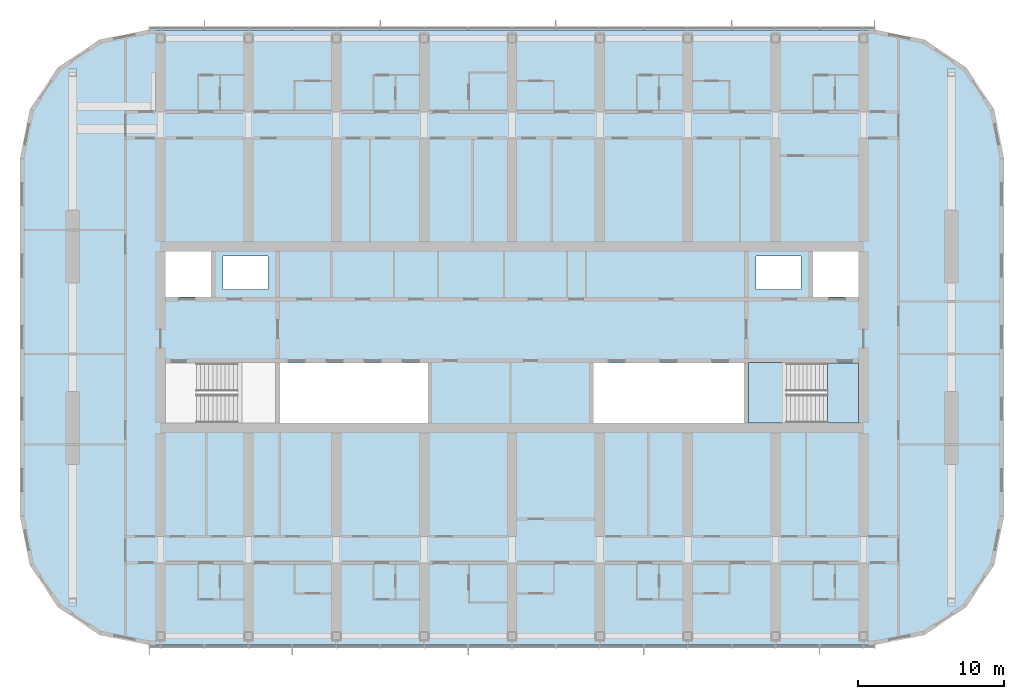
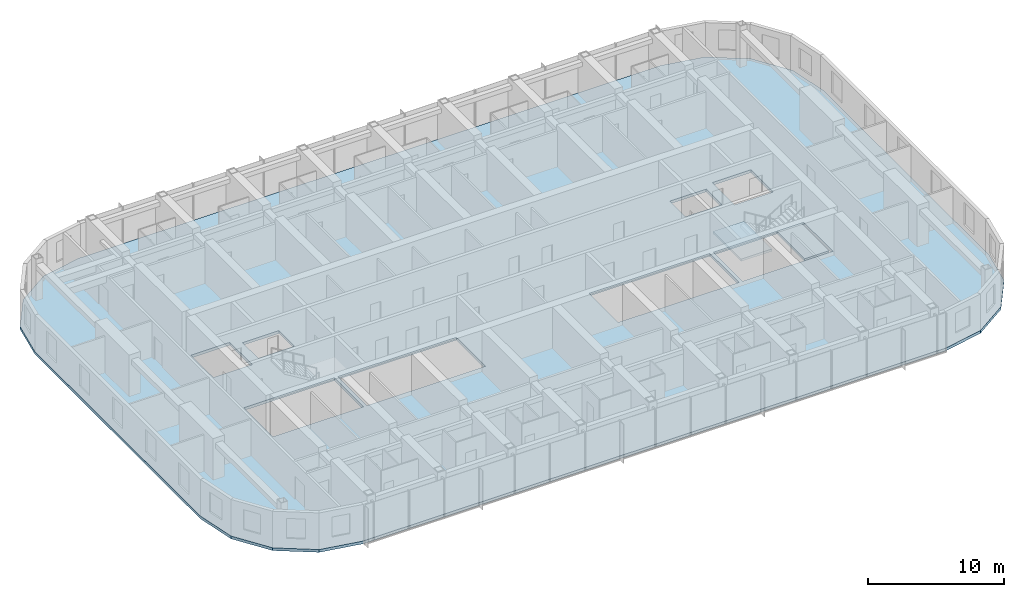
# One storey, part 8 of 23: 3 slabs, 1 element without a shape of its own.
"""IFC4 building model written with IfcOpenShell, lengths in metres."""

import ifcopenshell
import ifcopenshell.guid

model = None  # the IFC model being written
_history = None  # IfcOwnerHistory: only IFC2X3 demands one
_inside = {}  # id of a spatial element -> (the spatial element, [elements in it])
_under = {}  # id of a project, library or spatial element -> (it, [spatial elements below it])
_declared = {}  # id of a project -> (the project, [libraries it declares])
_typed = {}  # id of a type object -> (the type object, [elements of that type])
_made_of = {}  # id of a material, layer set ... -> (it, [elements and type objects made of it])


def new_model(schema):
    """Start an empty IFC model of exactly this schema.

    Asked for "IFC4X3", IfcOpenShell would pick the latest addendum, in which some entities
    have other attributes; the version numbers below select the first issue.
    IFC2X3 requires an IfcOwnerHistory on every rooted entity: one is made here for all.
    """
    global model, _history
    if schema == "IFC4X3":
        model = ifcopenshell.file(schema_version=(4, 3, 0, 0))
    else:
        model = ifcopenshell.file(schema=schema)
    _inside.clear()
    _under.clear()
    _declared.clear()
    _typed.clear()
    _made_of.clear()
    _history = None
    if model.schema == "IFC2X3":
        org = make("IfcOrganization", Name="unknown")
        user = make(
            "IfcPersonAndOrganization",
            ThePerson=make("IfcPerson", FamilyName="unknown"),
            TheOrganization=org,
        )
        app = make(
            "IfcApplication",
            ApplicationDeveloper=org,
            Version="unknown",
            ApplicationFullName="unknown",
            ApplicationIdentifier="unknown",
        )
        _history = make(
            "IfcOwnerHistory",
            OwningUser=user,
            OwningApplication=app,
            ChangeAction="ADDED",
            CreationDate=0,
        )
    return model


def make(cls, **values):
    """One entity of the class cls with the attributes given. An attribute that is None is left unset."""
    return model.create_entity(
        cls, **{name: value for name, value in values.items() if value is not None}
    )


def rooted(cls, **values):
    """An entity with a GlobalId (a new one), such as an element, a storey or a relation."""
    return make(cls, GlobalId=ifcopenshell.guid.new(), OwnerHistory=_history, **values)


def si_unit(unit_type, name, prefix=None):
    """IfcSIUnit, for example si_unit("LENGTHUNIT", "METRE", prefix="MILLI")."""
    return make("IfcSIUnit", UnitType=unit_type, Prefix=prefix, Name=name)


def assignment(units):
    """IfcUnitAssignment: the units of a project."""
    return None if units is None else make("IfcUnitAssignment", Units=units)


def point(xyz):
    """IfcCartesianPoint."""
    return None if xyz is None else make("IfcCartesianPoint", Coordinates=xyz)


def direction(xyz):
    """IfcDirection."""
    return None if xyz is None else make("IfcDirection", DirectionRatios=xyz)


def frame(location, z_axis=None, x_axis=None):
    """IfcAxis2Placement3D, a coordinate frame: its origin and axes. An axis left out is left unset."""
    return make(
        "IfcAxis2Placement3D",
        Location=point(location),
        Axis=direction(z_axis),
        RefDirection=direction(x_axis),
    )


def origin():
    """The frame at (0, 0, 0) with its axes left unset."""
    return frame((0.0, 0.0, 0.0))


def place(relative_to, where):
    """IfcLocalPlacement: puts the frame where relative to a parent placement (None: the world)."""
    return make(
        "IfcLocalPlacement", PlacementRelTo=relative_to, RelativePlacement=where
    )


def context(
    kind, dimensions, precision=None, world=None, true_north=None, identifier=None
):
    """IfcGeometricRepresentationContext, for example the 3D "Model" context."""
    return make(
        "IfcGeometricRepresentationContext",
        ContextIdentifier=identifier,
        ContextType=kind,
        CoordinateSpaceDimension=dimensions,
        Precision=precision,
        WorldCoordinateSystem=world,
        TrueNorth=true_north,
    )


def subcontext(parent, identifier, kind, view, scale=None):
    """IfcGeometricRepresentationSubContext, for example "Body" below "Model"."""
    return make(
        "IfcGeometricRepresentationSubContext",
        ContextIdentifier=identifier,
        ContextType=kind,
        ParentContext=parent,
        TargetScale=scale,
        TargetView=view,
    )


def project(units=None, contexts=None):
    """IfcProject with its units and contexts."""
    return rooted(
        "IfcProject",
        Name="project",
        RepresentationContexts=contexts,
        UnitsInContext=assignment(units),
    )


def spatial(cls, under=None, at=None, **own):
    """A site, building, storey or space (cls), placed at a placement, below another one or the project."""
    s = rooted(cls, ObjectPlacement=at, **own)
    if under is not None:
        _under.setdefault(under.id(), (under, []))[1].append(s)
    return s


def polyline(points):
    """IfcPolyline through the points."""
    return make("IfcPolyline", Points=[point(p) for p in points])


def outline(outer, holes=None, kind="AREA"):
    """IfcArbitraryClosedProfileDef: a profile drawn as a closed curve; with holes, ...WithVoids."""
    if holes is None:
        return make("IfcArbitraryClosedProfileDef", ProfileType=kind, OuterCurve=outer)
    return make(
        "IfcArbitraryProfileDefWithVoids",
        ProfileType=kind,
        OuterCurve=outer,
        InnerCurves=holes,
    )


def extrude(swept, where, along, depth):
    """IfcExtrudedAreaSolid: the profile swept, set in the frame where, extruded along a direction by depth."""
    return make(
        "IfcExtrudedAreaSolid",
        SweptArea=swept,
        Position=where,
        ExtrudedDirection=direction(along),
        Depth=depth,
    )


def shape(context_of_items, identifier, shape_type, items):
    """IfcShapeRepresentation: the items that make up one representation, for example the "Body"."""
    return make(
        "IfcShapeRepresentation",
        ContextOfItems=context_of_items,
        RepresentationIdentifier=identifier,
        RepresentationType=shape_type,
        Items=items,
    )


def material(Name=None, Category=None):
    """IfcMaterial."""
    return make("IfcMaterial", Name=Name, Category=Category)


def layer(
    of_material, thickness, ventilated=None, Name=None, Category=None, Priority=None
):
    """IfcMaterialLayer: one layer of a wall or slab, of a material (None: an air gap)."""
    return make(
        "IfcMaterialLayer",
        Material=of_material,
        LayerThickness=thickness,
        IsVentilated=ventilated,
        Name=Name,
        Category=Category,
        Priority=Priority,
    )


def layer_set(layers, Name=None):
    """IfcMaterialLayerSet."""
    return make("IfcMaterialLayerSet", MaterialLayers=layers, LayerSetName=Name)


def made_of(thing, what):
    """Note that an element or type object is made of a material, layer set ...; save() writes the relation."""
    if what is not None:
        _made_of.setdefault(what.id(), (what, []))[1].append(thing)
    return thing


def type_object(cls, material=None, **own):
    """A type object (cls), such as IfcWallType, which elements share."""
    return made_of(rooted(cls, **own), material)


def element(
    cls,
    number,
    at=None,
    inside=None,
    cuts=None,
    type_object=None,
    material=None,
    context=None,
    identifier="Body",
    shape_type=None,
    held_by="IfcProductDefinitionShape",
    body=None,
    shapes=None,
    **own,
):
    """One element of the class cls, such as IfcWall. Its Tag is "e" and its number.

    at: its placement. inside: the storey or other place that contains it. cuts: it is an
    opening in that element (IfcRelVoidsElement). A single representation is given by context,
    identifier, shape_type and body (its items); several are given by shapes. held_by: the class
    of the entity that holds the representations. save() writes the other relations.
    """
    e = rooted(cls, Tag="e%d" % number, ObjectPlacement=at, **own)
    if body is not None:
        shapes = [shape(context, identifier, shape_type, body)]
    if shapes is not None:
        e.Representation = make(held_by, Representations=shapes)
    if inside is not None:
        _inside.setdefault(inside.id(), (inside, []))[1].append(e)
    if cuts is not None:
        rooted(
            "IfcRelVoidsElement", RelatingBuildingElement=cuts, RelatedOpeningElement=e
        )
    if type_object is not None:
        _typed.setdefault(type_object.id(), (type_object, []))[1].append(e)
    return made_of(e, material)


def aggregate(whole, parts):
    """IfcRelAggregates: a whole, such as a stair, and the parts it consists of."""
    return rooted("IfcRelAggregates", RelatingObject=whole, RelatedObjects=parts)


def save(model, path):
    """Write the relations noted so far, then the file.

    IfcRelAggregates (storeys below a building ...), IfcRelContainedInSpatialStructure (elements
    in a storey), IfcRelDefinesByType, IfcRelAssociatesMaterial and IfcRelDeclares: one each for
    every whole, place, type object, material and project.
    """
    for whole, parts in _under.values():
        aggregate(whole, parts)
    for where, things in _inside.values():
        rooted(
            "IfcRelContainedInSpatialStructure",
            RelatedElements=things,
            RelatingStructure=where,
        )
    for kind, things in _typed.values():
        rooted("IfcRelDefinesByType", RelatedObjects=things, RelatingType=kind)
    for what, things in _made_of.values():
        rooted("IfcRelAssociatesMaterial", RelatedObjects=things, RelatingMaterial=what)
    for by, libraries in _declared.values():
        rooted("IfcRelDeclares", RelatingContext=by, RelatedDefinitions=libraries)
    model.write(path)


model = new_model("IFC4")

# Units and contexts
model_context = context("Model", 3, precision=1e-05, world=origin(), true_north=direction((0.0, 1.0)))
body_context = subcontext(model_context, "Body", "Model", "MODEL_VIEW")
ifc_project = project(units=[si_unit("LENGTHUNIT", "METRE"), si_unit("AREAUNIT", "SQUARE_METRE"), si_unit("VOLUMEUNIT", "CUBIC_METRE"), si_unit("PLANEANGLEUNIT", "RADIAN"), si_unit("MASSUNIT", "GRAM", prefix="KILO")], contexts=[model_context])

# Site, building, storey
site_placement = place(None, origin())
site = spatial("IfcSite", under=ifc_project, at=site_placement, CompositionType="ELEMENT")
building_placement = place(site_placement, origin())
building = spatial("IfcBuilding", under=site, at=building_placement, Name="Orbita Commons", CompositionType="ELEMENT")
storey_placement = place(building_placement, frame((0.0, 0.0, 227.800048828125)))
storey = spatial("IfcBuildingStorey", under=building, at=storey_placement, Name="L56", CompositionType="ELEMENT", Elevation=227.800048828125)

# Slab
ifc_material_1 = material(Name="Concrete C40/50", Category="concrete")
ifc_layer_1 = layer(ifc_material_1, 0.25)
ifc_layer_set_1 = layer_set([ifc_layer_1], Name="Concrete C40/50")
slab_type_1 = type_object("IfcSlabType", Name="Floor slab 250", PredefinedType="FLOOR", material=ifc_layer_set_1)
slab_1_placement = place(storey_placement, frame((0.0, 0.0, -0.25)))
element("IfcSlab", 1, at=slab_1_placement, inside=storey, type_object=slab_type_1, Name="Floor slab L56", PredefinedType="FLOOR", context=body_context, shape_type="SweptSolid", body=[
    extrude(outline(polyline([(66.800048828125, 11.0), (70.167724609375, 11.669921875), (73.0224609375, 13.577392578125), (74.93017578125, 16.432373046875), (75.60009765625, 19.800048828125), (75.60009765625, 44.199951171875), (74.93017578125, 47.567626953125), (73.0224609375, 50.422607421875), (70.167724609375, 52.330078125), (66.800048828125, 53.0), (17.199951171875, 53.0), (13.832275390625, 52.330078125), (10.9775390625, 50.422607421875), (9.06982421875, 47.567626953125), (8.39990234375, 44.199951171875), (8.39990234375, 19.800048828125), (9.06982421875, 16.432373046875), (10.9775390625, 13.577392578125), (13.832275390625, 11.669921875), (17.199951171875, 11.0), (66.800048828125, 11.0)]), holes=[polyline([(18.14990234375, 25.949951171875), (25.85009765625, 25.949951171875), (25.85009765625, 30.25), (18.14990234375, 30.25), (18.14990234375, 25.949951171875)]), polyline([(58.14990234375, 25.949951171875), (65.85009765625, 25.949951171875), (65.85009765625, 30.25), (58.14990234375, 30.25), (58.14990234375, 25.949951171875)]), polyline([(18.14990234375, 34.75), (21.449951171875, 34.75), (21.449951171875, 38.050048828125), (18.14990234375, 38.050048828125), (18.14990234375, 34.75)]), polyline([(62.550048828125, 34.75), (65.85009765625, 34.75), (65.85009765625, 38.050048828125), (62.550048828125, 38.050048828125), (62.550048828125, 34.75)]), polyline([(22.25, 35.25), (25.35009765625, 35.25), (25.35009765625, 37.550048828125), (22.25, 37.550048828125), (22.25, 35.25)]), polyline([(58.64990234375, 35.25), (61.75, 35.25), (61.75, 37.550048828125), (58.64990234375, 37.550048828125), (58.64990234375, 35.25)]), polyline([(26.14990234375, 25.949951171875), (36.25, 25.949951171875), (36.25, 30.25), (26.14990234375, 30.25), (26.14990234375, 25.949951171875)]), polyline([(47.550048828125, 25.949951171875), (57.85009765625, 25.949951171875), (57.85009765625, 30.25), (47.550048828125, 30.25), (47.550048828125, 25.949951171875)])]), origin(), (0.0, 0.0, 1.0), 0.25),
])

# Stair, slabs
ifc_material_2 = material(Name="Precast concrete C40/50", Category="concrete")
stair_type = type_object("IfcStairType", Name="Exit stair S2 2 flights 11 risers 170", PredefinedType="HALF_TURN_STAIR", material=ifc_material_2)
stair_placement = place(storey_placement, origin())
stair = element("IfcStair", 2, at=stair_placement, inside=storey, type_object=stair_type, Name="Exit stair S2 L56", PredefinedType="HALF_TURN_STAIR")
ifc_material_3 = material(Name="Concrete C40/50", Category="concrete")
ifc_layer_2 = layer(ifc_material_3, 0.199951171875)
ifc_layer_set_2 = layer_set([ifc_layer_2], Name="Concrete C40/50")
slab_type_2 = type_object("IfcSlabType", Name="Stair landing 200", PredefinedType="LANDING", material=ifc_layer_set_2)
slab_2_placement = place(storey_placement, frame((0.0, 0.0, -0.199951171875)))
slab_2 = element("IfcSlab", 3, at=slab_2_placement, type_object=slab_type_2, Name="S2 landing 1", PredefinedType="LANDING", context=body_context, shape_type="SweptSolid", body=[
    extrude(outline(polyline([(63.550048828125, 26.14990234375), (65.64990234375, 26.14990234375), (65.64990234375, 30.25), (63.550048828125, 30.25), (63.550048828125, 26.14990234375)])), origin(), (0.0, 0.0, 1.0), 0.199951171875),
])
slab_3_placement = place(storey_placement, frame((0.0, 0.0, 1.675048828125)))
slab_3 = element("IfcSlab", 4, at=slab_3_placement, type_object=slab_type_2, Name="S2 landing 2", PredefinedType="LANDING", context=body_context, shape_type="SweptSolid", body=[
    extrude(outline(polyline([(58.135009765625, 26.135009765625), (60.75, 26.135009765625), (60.75, 30.264892578125), (58.135009765625, 30.264892578125), (58.135009765625, 26.135009765625)])), origin(), (0.0, 0.0, 1.0), 0.199951171875),
])
aggregate(stair, [slab_2, slab_3])

save(model, "model.ifc")
